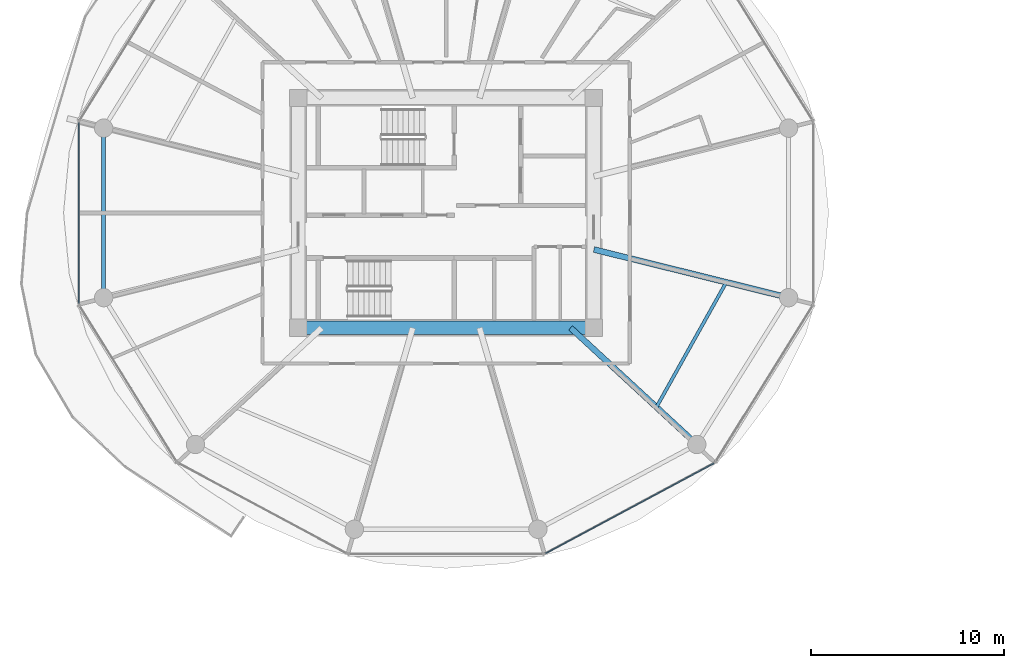
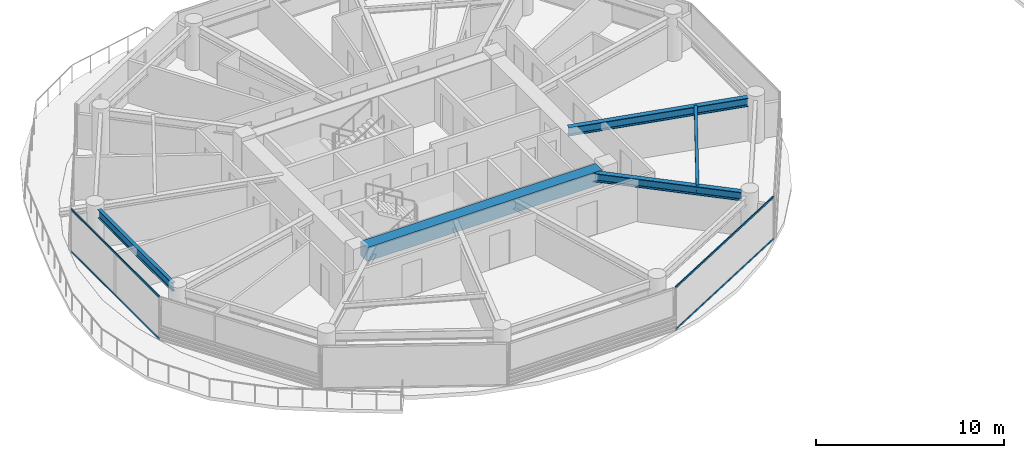
# One storey, part 3 of 27: 5 beams, 4 members, 2 elements without a shape of their own.
"""IFC4 building model written with IfcOpenShell, lengths in metres."""

import ifcopenshell
import ifcopenshell.guid

model = None  # the IFC model being written
_history = None  # IfcOwnerHistory: only IFC2X3 demands one
_inside = {}  # id of a spatial element -> (the spatial element, [elements in it])
_under = {}  # id of a project, library or spatial element -> (it, [spatial elements below it])
_declared = {}  # id of a project -> (the project, [libraries it declares])
_typed = {}  # id of a type object -> (the type object, [elements of that type])
_made_of = {}  # id of a material, layer set ... -> (it, [elements and type objects made of it])


def new_model(schema):
    """Start an empty IFC model of exactly this schema.

    Asked for "IFC4X3", IfcOpenShell would pick the latest addendum, in which some entities
    have other attributes; the version numbers below select the first issue.
    IFC2X3 requires an IfcOwnerHistory on every rooted entity: one is made here for all.
    """
    global model, _history
    if schema == "IFC4X3":
        model = ifcopenshell.file(schema_version=(4, 3, 0, 0))
    else:
        model = ifcopenshell.file(schema=schema)
    _inside.clear()
    _under.clear()
    _declared.clear()
    _typed.clear()
    _made_of.clear()
    _history = None
    if model.schema == "IFC2X3":
        org = make("IfcOrganization", Name="unknown")
        user = make(
            "IfcPersonAndOrganization",
            ThePerson=make("IfcPerson", FamilyName="unknown"),
            TheOrganization=org,
        )
        app = make(
            "IfcApplication",
            ApplicationDeveloper=org,
            Version="unknown",
            ApplicationFullName="unknown",
            ApplicationIdentifier="unknown",
        )
        _history = make(
            "IfcOwnerHistory",
            OwningUser=user,
            OwningApplication=app,
            ChangeAction="ADDED",
            CreationDate=0,
        )
    return model


def make(cls, **values):
    """One entity of the class cls with the attributes given. An attribute that is None is left unset."""
    return model.create_entity(
        cls, **{name: value for name, value in values.items() if value is not None}
    )


def rooted(cls, **values):
    """An entity with a GlobalId (a new one), such as an element, a storey or a relation."""
    return make(cls, GlobalId=ifcopenshell.guid.new(), OwnerHistory=_history, **values)


def si_unit(unit_type, name, prefix=None):
    """IfcSIUnit, for example si_unit("LENGTHUNIT", "METRE", prefix="MILLI")."""
    return make("IfcSIUnit", UnitType=unit_type, Prefix=prefix, Name=name)


def assignment(units):
    """IfcUnitAssignment: the units of a project."""
    return None if units is None else make("IfcUnitAssignment", Units=units)


def point(xyz):
    """IfcCartesianPoint."""
    return None if xyz is None else make("IfcCartesianPoint", Coordinates=xyz)


def direction(xyz):
    """IfcDirection."""
    return None if xyz is None else make("IfcDirection", DirectionRatios=xyz)


def frame(location, z_axis=None, x_axis=None):
    """IfcAxis2Placement3D, a coordinate frame: its origin and axes. An axis left out is left unset."""
    return make(
        "IfcAxis2Placement3D",
        Location=point(location),
        Axis=direction(z_axis),
        RefDirection=direction(x_axis),
    )


def frame_2d(location, x_axis=None):
    """IfcAxis2Placement2D, a coordinate frame in the plane: its origin and x axis."""
    return make(
        "IfcAxis2Placement2D", Location=point(location), RefDirection=direction(x_axis)
    )


def origin():
    """The frame at (0, 0, 0) with its axes left unset."""
    return frame((0.0, 0.0, 0.0))


def origin_2d():
    """The frame at (0, 0) in the plane with its x axis left unset."""
    return frame_2d((0.0, 0.0))


def place(relative_to, where):
    """IfcLocalPlacement: puts the frame where relative to a parent placement (None: the world)."""
    return make(
        "IfcLocalPlacement", PlacementRelTo=relative_to, RelativePlacement=where
    )


def context(
    kind, dimensions, precision=None, world=None, true_north=None, identifier=None
):
    """IfcGeometricRepresentationContext, for example the 3D "Model" context."""
    return make(
        "IfcGeometricRepresentationContext",
        ContextIdentifier=identifier,
        ContextType=kind,
        CoordinateSpaceDimension=dimensions,
        Precision=precision,
        WorldCoordinateSystem=world,
        TrueNorth=true_north,
    )


def subcontext(parent, identifier, kind, view, scale=None):
    """IfcGeometricRepresentationSubContext, for example "Body" below "Model"."""
    return make(
        "IfcGeometricRepresentationSubContext",
        ContextIdentifier=identifier,
        ContextType=kind,
        ParentContext=parent,
        TargetScale=scale,
        TargetView=view,
    )


def project(units=None, contexts=None):
    """IfcProject with its units and contexts."""
    return rooted(
        "IfcProject",
        Name="project",
        RepresentationContexts=contexts,
        UnitsInContext=assignment(units),
    )


def spatial(cls, under=None, at=None, **own):
    """A site, building, storey or space (cls), placed at a placement, below another one or the project."""
    s = rooted(cls, ObjectPlacement=at, **own)
    if under is not None:
        _under.setdefault(under.id(), (under, []))[1].append(s)
    return s


def profile(cls, at=None, kind="AREA", **sizes):
    """A parametric profile (cls). Its sizes go by their IFC names, for example OverallWidth=200.0."""
    return make(cls, ProfileType=kind, Position=at, **sizes)


def rectangle(**sizes):
    """IfcRectangleProfileDef."""
    return profile("IfcRectangleProfileDef", **sizes)


def i_section(**sizes):
    """IfcIShapeProfileDef."""
    return profile("IfcIShapeProfileDef", **sizes)


def extrude(swept, where, along, depth):
    """IfcExtrudedAreaSolid: the profile swept, set in the frame where, extruded along a direction by depth."""
    return make(
        "IfcExtrudedAreaSolid",
        SweptArea=swept,
        Position=where,
        ExtrudedDirection=direction(along),
        Depth=depth,
    )


def shape(context_of_items, identifier, shape_type, items):
    """IfcShapeRepresentation: the items that make up one representation, for example the "Body"."""
    return make(
        "IfcShapeRepresentation",
        ContextOfItems=context_of_items,
        RepresentationIdentifier=identifier,
        RepresentationType=shape_type,
        Items=items,
    )


def source(mapping_origin, context_of_items, identifier, shape_type, items):
    """IfcRepresentationMap: a shape defined once, which mapped items show again and again."""
    return make(
        "IfcRepresentationMap",
        MappingOrigin=mapping_origin,
        MappedRepresentation=shape(context_of_items, identifier, shape_type, items),
    )


def transform(
    local_origin,
    x_axis=None,
    y_axis=None,
    z_axis=None,
    scale=None,
    scale2=None,
    scale3=None,
    uniform=True,
):
    """IfcCartesianTransformationOperator3D, or its non-uniform kind. x_axis, y_axis, z_axis: its Axis1, 2, 3."""
    if uniform:
        return make(
            "IfcCartesianTransformationOperator3D",
            Axis1=direction(x_axis),
            Axis2=direction(y_axis),
            LocalOrigin=point(local_origin),
            Scale=scale,
            Axis3=direction(z_axis),
        )
    return make(
        "IfcCartesianTransformationOperator3DnonUniform",
        Axis1=direction(x_axis),
        Axis2=direction(y_axis),
        LocalOrigin=point(local_origin),
        Scale=scale,
        Axis3=direction(z_axis),
        Scale2=scale2,
        Scale3=scale3,
    )


def mapped(mapping_source, mapping_target):
    """IfcMappedItem: shows the shape of a source again, moved by a transform."""
    return make(
        "IfcMappedItem", MappingSource=mapping_source, MappingTarget=mapping_target
    )


def material(Name=None, Category=None):
    """IfcMaterial."""
    return make("IfcMaterial", Name=Name, Category=Category)


def layer(
    of_material, thickness, ventilated=None, Name=None, Category=None, Priority=None
):
    """IfcMaterialLayer: one layer of a wall or slab, of a material (None: an air gap)."""
    return make(
        "IfcMaterialLayer",
        Material=of_material,
        LayerThickness=thickness,
        IsVentilated=ventilated,
        Name=Name,
        Category=Category,
        Priority=Priority,
    )


def layer_set(layers, Name=None):
    """IfcMaterialLayerSet."""
    return make("IfcMaterialLayerSet", MaterialLayers=layers, LayerSetName=Name)


def material_profile(
    of_material, cross_section, Name=None, Category=None, Priority=None
):
    """IfcMaterialProfile: a cross section and its material."""
    return make(
        "IfcMaterialProfile",
        Name=Name,
        Material=of_material,
        Profile=cross_section,
        Priority=Priority,
        Category=Category,
    )


def profile_set(profiles, Name=None, composite=None):
    """IfcMaterialProfileSet."""
    return make(
        "IfcMaterialProfileSet",
        Name=Name,
        MaterialProfiles=profiles,
        CompositeProfile=composite,
    )


def made_of(thing, what):
    """Note that an element or type object is made of a material, layer set ...; save() writes the relation."""
    if what is not None:
        _made_of.setdefault(what.id(), (what, []))[1].append(thing)
    return thing


def type_object(cls, material=None, **own):
    """A type object (cls), such as IfcWallType, which elements share."""
    return made_of(rooted(cls, **own), material)


def type_shapes(of_type, sources):
    """Give a type object the sources (RepresentationMaps) that its elements show as mapped items."""
    of_type.RepresentationMaps = sources


def element(
    cls,
    number,
    at=None,
    inside=None,
    cuts=None,
    type_object=None,
    material=None,
    context=None,
    identifier="Body",
    shape_type=None,
    held_by="IfcProductDefinitionShape",
    body=None,
    shapes=None,
    **own,
):
    """One element of the class cls, such as IfcWall. Its Tag is "e" and its number.

    at: its placement. inside: the storey or other place that contains it. cuts: it is an
    opening in that element (IfcRelVoidsElement). A single representation is given by context,
    identifier, shape_type and body (its items); several are given by shapes. held_by: the class
    of the entity that holds the representations. save() writes the other relations.
    """
    e = rooted(cls, Tag="e%d" % number, ObjectPlacement=at, **own)
    if body is not None:
        shapes = [shape(context, identifier, shape_type, body)]
    if shapes is not None:
        e.Representation = make(held_by, Representations=shapes)
    if inside is not None:
        _inside.setdefault(inside.id(), (inside, []))[1].append(e)
    if cuts is not None:
        rooted(
            "IfcRelVoidsElement", RelatingBuildingElement=cuts, RelatedOpeningElement=e
        )
    if type_object is not None:
        _typed.setdefault(type_object.id(), (type_object, []))[1].append(e)
    return made_of(e, material)


def aggregate(whole, parts):
    """IfcRelAggregates: a whole, such as a stair, and the parts it consists of."""
    return rooted("IfcRelAggregates", RelatingObject=whole, RelatedObjects=parts)


def save(model, path):
    """Write the relations noted so far, then the file.

    IfcRelAggregates (storeys below a building ...), IfcRelContainedInSpatialStructure (elements
    in a storey), IfcRelDefinesByType, IfcRelAssociatesMaterial and IfcRelDeclares: one each for
    every whole, place, type object, material and project.
    """
    for whole, parts in _under.values():
        aggregate(whole, parts)
    for where, things in _inside.values():
        rooted(
            "IfcRelContainedInSpatialStructure",
            RelatedElements=things,
            RelatingStructure=where,
        )
    for kind, things in _typed.values():
        rooted("IfcRelDefinesByType", RelatedObjects=things, RelatingType=kind)
    for what, things in _made_of.values():
        rooted("IfcRelAssociatesMaterial", RelatedObjects=things, RelatingMaterial=what)
    for by, libraries in _declared.values():
        rooted("IfcRelDeclares", RelatingContext=by, RelatedDefinitions=libraries)
    model.write(path)


model = new_model("IFC4")

# Units and contexts
model_context = context("Model", 3, precision=1e-05, world=origin(), true_north=direction((0.0, 1.0)))
body_context = subcontext(model_context, "Body", "Model", "MODEL_VIEW")
ifc_project = project(units=[si_unit("LENGTHUNIT", "METRE"), si_unit("AREAUNIT", "SQUARE_METRE"), si_unit("VOLUMEUNIT", "CUBIC_METRE"), si_unit("PLANEANGLEUNIT", "RADIAN"), si_unit("MASSUNIT", "GRAM", prefix="KILO")], contexts=[model_context])

# Site, building, storey
site_placement = place(None, origin())
site = spatial("IfcSite", under=ifc_project, at=site_placement, CompositionType="ELEMENT")
building_placement = place(site_placement, origin())
building = spatial("IfcBuilding", under=site, at=building_placement, Name="Norrkilde Senior Care Towers", CompositionType="ELEMENT")
storey_placement = place(building_placement, frame((0.0, 0.0, 30.75)))
storey = spatial("IfcBuildingStorey", under=building, at=storey_placement, Name="L08", CompositionType="ELEMENT", Elevation=30.75)

# Beams
ifc_material_1 = material(Name="Concrete C60/75", Category="concrete")
ifc_material_profile_1 = material_profile(ifc_material_1, rectangle(XDim=0.699951171875, YDim=0.89990234375, at=origin_2d()), Name="RC BM 700x900")
ifc_profile_set_1 = profile_set([ifc_material_profile_1], Name="Concrete C60/75")
beam_type_1 = type_object("IfcBeamType", Name="Core Coupling Girder 700x900", PredefinedType="USERDEFINED", material=ifc_profile_set_1)
shared_shape_1 = source(origin(), body_context, "Body", "SweptSolid", [
    extrude(rectangle(XDim=0.699951171875, YDim=0.89990234375, at=origin_2d()), origin(), (0.0, 0.0, 1.0), 14.43994140625),
])
type_shapes(beam_type_1, [shared_shape_1])
beam_1_placement = place(storey_placement, frame((-35.219970703125, -5.949951171875, 2.340087890625), z_axis=(1.0, 0.0, 0.0), x_axis=(0.0, 1.0, 0.0)))
element("IfcBeam", 1, at=beam_1_placement, inside=storey, type_object=beam_type_1, Name="L08 Core W S Coupling Girder", ObjectType="GIRDER", PredefinedType="USERDEFINED", context=body_context, shape_type="MappedRepresentation", body=[
    mapped(shared_shape_1, transform((0.0, 0.0, 0.0), x_axis=(1.0, 0.0, 0.0), y_axis=(0.0, 1.0, 0.0), z_axis=(0.0, 0.0, 1.0), scale=1.0)),
])
ifc_material_2 = material(Name="Steel S355", Category="steel")
ifc_material_profile_2 = material_profile(ifc_material_2, i_section(OverallWidth=0.300048828125, OverallDepth=0.550048828125, WebThickness=0.014892578125, FlangeThickness=0.029052734375, FilletRadius=0.027099609375, at=origin_2d()), Name="HEB 550")
ifc_profile_set_2 = profile_set([ifc_material_profile_2], Name="Steel S355")
beam_type_2 = type_object("IfcBeamType", Name="Radial Floor Beam Z1 HEB550", PredefinedType="BEAM", material=ifc_profile_set_2)
shared_shape_2 = source(origin(), body_context, "Body", "SweptSolid", [
    extrude(i_section(OverallWidth=0.300048828125, OverallDepth=0.550048828125, WebThickness=0.014892578125, FlangeThickness=0.029052734375, FilletRadius=0.027099609375, at=origin_2d()), origin(), (0.0, 0.0, 1.0), 9.94384765625),
])
beam_2_placement = place(storey_placement, frame((-20.35009765625, -1.893310546875, 2.514892578125), z_axis=(0.970707425182, -0.240264634718, 0.0), x_axis=(0.240264634718, 0.970707425182, 0.0)))
element("IfcBeam", 2, at=beam_2_placement, inside=storey, type_object=beam_type_2, Name="L08 Drum W Radial Floor Beam 12", PredefinedType="BEAM", context=body_context, shape_type="MappedRepresentation", body=[
    mapped(shared_shape_2, transform((0.0, 0.0, 0.0), x_axis=(1.0, 0.0, 0.0), y_axis=(0.0, 1.0, 0.0), z_axis=(0.0, 0.0, 1.0), scale=1.0)),
])
shared_shape_3 = source(origin(), body_context, "Body", "SweptSolid", [
    extrude(i_section(OverallWidth=0.300048828125, OverallDepth=0.550048828125, WebThickness=0.014892578125, FlangeThickness=0.029052734375, FilletRadius=0.027099609375, at=origin_2d()), origin(), (0.0, 0.0, 1.0), 8.459716796875),
])
type_shapes(beam_type_2, [shared_shape_2, shared_shape_3])
beam_3_placement = place(storey_placement, frame((-21.55859375, -5.949951171875, 2.514892578125), z_axis=(0.734573269108, -0.678529374686, 0.0), x_axis=(0.678529374686, 0.734573269108, 0.0)))
element("IfcBeam", 3, at=beam_3_placement, inside=storey, type_object=beam_type_2, Name="L08 Drum W Radial Floor Beam 11", PredefinedType="BEAM", context=body_context, shape_type="MappedRepresentation", body=[
    mapped(shared_shape_3, transform((0.0, 0.0, 0.0), x_axis=(1.0, 0.0, 0.0), y_axis=(0.0, 1.0, 0.0), z_axis=(0.0, 0.0, 1.0), scale=1.0)),
])
ifc_material_profile_3 = material_profile(ifc_material_2, i_section(OverallWidth=0.2099609375, OverallDepth=0.550048828125, WebThickness=0.010986328125, FlangeThickness=0.01708984375, FilletRadius=0.02392578125, at=origin_2d()), Name="IPE 550")
ifc_profile_set_3 = profile_set([ifc_material_profile_3], Name="Steel S355")
beam_type_3 = type_object("IfcBeamType", Name="Perimeter Ring Spandrel Z1 IPE550", PredefinedType="SPANDREL", material=ifc_profile_set_3)
shared_shape_4 = source(origin(), body_context, "Body", "SweptSolid", [
    extrude(i_section(OverallWidth=0.2099609375, OverallDepth=0.550048828125, WebThickness=0.010986328125, FlangeThickness=0.01708984375, FilletRadius=0.02392578125, at=origin_2d()), origin(), (0.0, 0.0, 1.0), 7.90380859375),
])
type_shapes(beam_type_3, [shared_shape_4])
beam_4_placement = place(storey_placement, frame((-45.724853515625, 3.951904296875, 2.514892578125), z_axis=(0.0, -1.0, 0.0), x_axis=(1.0, 0.0, 0.0)))
element("IfcBeam", 4, at=beam_4_placement, inside=storey, type_object=beam_type_3, Name="L08 Drum W Perimeter Spandrel 06", PredefinedType="SPANDREL", context=body_context, shape_type="MappedRepresentation", body=[
    mapped(shared_shape_4, transform((0.0, 0.0, 0.0), x_axis=(1.0, 0.0, 0.0), y_axis=(0.0, 1.0, 0.0), z_axis=(0.0, 0.0, 1.0), scale=1.0)),
])
ifc_material_profile_4 = material_profile(ifc_material_2, i_section(OverallWidth=0.169921875, OverallDepth=0.360107421875, WebThickness=0.008056640625, FlangeThickness=0.0126953125, FilletRadius=0.01806640625, at=origin_2d()), Name="IPE 360")
ifc_profile_set_4 = profile_set([ifc_material_profile_4], Name="Steel S355")
beam_type_4 = type_object("IfcBeamType", Name="Secondary Floor Joist IPE360", PredefinedType="JOIST", material=ifc_profile_set_4)
shared_shape_5 = source(origin(), body_context, "Body", "SweptSolid", [
    extrude(i_section(OverallWidth=0.169921875, OverallDepth=0.360107421875, WebThickness=0.008056640625, FlangeThickness=0.0126953125, FilletRadius=0.01806640625, at=origin_2d()), origin(), (0.0, 0.0, 1.0), 7.40771484375),
])
type_shapes(beam_type_4, [shared_shape_5])
beam_5_placement = place(storey_placement, frame((-17.115478515625, -10.05419921875, 2.610107421875), z_axis=(0.488167754092, 0.872749817453, 0.0), x_axis=(-0.872749817453, 0.488167754092, 0.0)))
element("IfcBeam", 5, at=beam_5_placement, inside=storey, type_object=beam_type_4, Name="L08 Drum W Secondary Floor Joist 4", PredefinedType="JOIST", context=body_context, shape_type="MappedRepresentation", body=[
    mapped(shared_shape_5, transform((0.0, 0.0, 0.0), x_axis=(1.0, 0.0, 0.0), y_axis=(0.0, 1.0, 0.0), z_axis=(0.0, 0.0, 1.0), scale=1.0)),
])

# Curtain wall, members
ifc_material_3 = material(Name="Triple Low-E Insulated Glazing", Category="glass")
ifc_layer = layer(ifc_material_3, 0.199951171875)
ifc_layer_set = layer_set([ifc_layer], Name="Triple Low-E Insulated Glazing")
curtain_wall_type = type_object("IfcCurtainWallType", Name="CW2 Zone 1 Memory Care Curtain Wall", PredefinedType="NOTDEFINED", material=ifc_layer_set)
curtain_wall_1_placement = place(storey_placement, origin())
curtain_wall_1 = element("IfcCurtainWall", 6, at=curtain_wall_1_placement, inside=storey, type_object=curtain_wall_type, Name="L08 Drum W Curtain Wall 09", PredefinedType="NOTDEFINED")
ifc_material_4 = material(Name="Anodised Aluminium", Category="aluminium")
ifc_material_profile_5 = material_profile(ifc_material_4, rectangle(XDim=0.06005859375, YDim=0.1201171875, at=origin_2d()), Name="ALU TRAN 60x120")
ifc_profile_set_5 = profile_set([ifc_material_profile_5], Name="Anodised Aluminium")
member_type = type_object("IfcMemberType", Name="Curtain Wall Transom Typical 60x120", PredefinedType="USERDEFINED", material=ifc_profile_set_5)
shared_shape_6 = source(origin(), body_context, "Body", "SweptSolid", [
    extrude(rectangle(XDim=0.06005859375, YDim=0.1201171875, at=origin_2d()), origin(), (0.0, 0.0, 1.0), 9.880859375),
])
member_1_placement = place(storey_placement, frame((-14.141357421875, -12.95654296875, 0.030029296875), z_axis=(-0.881267204043, -0.47261836092, 0.0), x_axis=(0.47261836092, -0.881267204043, 0.0)))
member_1 = element("IfcMember", 7, at=member_1_placement, type_object=member_type, Name="CW-2 transom 1.1", ObjectType="TRANSOM", PredefinedType="USERDEFINED", context=body_context, shape_type="MappedRepresentation", body=[
    mapped(shared_shape_6, transform((0.0, 0.0, 0.0), x_axis=(1.0, 0.0, 0.0), y_axis=(0.0, 1.0, 0.0), z_axis=(0.0, 0.0, 1.0), scale=1.0)),
])
member_2_placement = place(storey_placement, frame((-14.141357421875, -12.95654296875, 2.760009765625), z_axis=(-0.881267204043, -0.47261836092, 0.0), x_axis=(0.47261836092, -0.881267204043, 0.0)))
member_2 = element("IfcMember", 8, at=member_2_placement, type_object=member_type, Name="CW-2 transom 1.2", ObjectType="TRANSOM", PredefinedType="USERDEFINED", context=body_context, shape_type="MappedRepresentation", body=[
    mapped(shared_shape_6, transform((0.0, 0.0, 0.0), x_axis=(1.0, 0.0, 0.0), y_axis=(0.0, 1.0, 0.0), z_axis=(0.0, 0.0, 1.0), scale=1.0)),
])
aggregate(curtain_wall_1, [member_1, member_2])

curtain_wall_2_placement = place(storey_placement, origin())
curtain_wall_2 = element("IfcCurtainWall", 9, at=curtain_wall_2_placement, inside=storey, type_object=curtain_wall_type, Name="L08 Drum W Curtain Wall 05", PredefinedType="NOTDEFINED")
shared_shape_7 = source(origin(), body_context, "Body", "SweptSolid", [
    extrude(rectangle(XDim=0.06005859375, YDim=0.1201171875, at=origin_2d()), origin(), (0.0, 0.0, 1.0), 9.33251953125),
])
type_shapes(member_type, [shared_shape_6, shared_shape_7])
member_3_placement = place(storey_placement, frame((-47.009521484375, -4.666259765625, 0.030029296875), z_axis=(0.0, 1.0, 0.0), x_axis=(-1.0, 0.0, 0.0)))
member_3 = element("IfcMember", 10, at=member_3_placement, type_object=member_type, Name="CW-2 transom 1.1", ObjectType="TRANSOM", PredefinedType="USERDEFINED", context=body_context, shape_type="MappedRepresentation", body=[
    mapped(shared_shape_7, transform((0.0, 0.0, 0.0), x_axis=(1.0, 0.0, 0.0), y_axis=(0.0, 1.0, 0.0), z_axis=(0.0, 0.0, 1.0), scale=1.0)),
])
member_4_placement = place(storey_placement, frame((-47.009521484375, -4.666259765625, 2.760009765625), z_axis=(0.0, 1.0, 0.0), x_axis=(-1.0, 0.0, 0.0)))
member_4 = element("IfcMember", 11, at=member_4_placement, type_object=member_type, Name="CW-2 transom 1.2", ObjectType="TRANSOM", PredefinedType="USERDEFINED", context=body_context, shape_type="MappedRepresentation", body=[
    mapped(shared_shape_7, transform((0.0, 0.0, 0.0), x_axis=(1.0, 0.0, 0.0), y_axis=(0.0, 1.0, 0.0), z_axis=(0.0, 0.0, 1.0), scale=1.0)),
])
aggregate(curtain_wall_2, [member_3, member_4])

save(model, "model.ifc")
